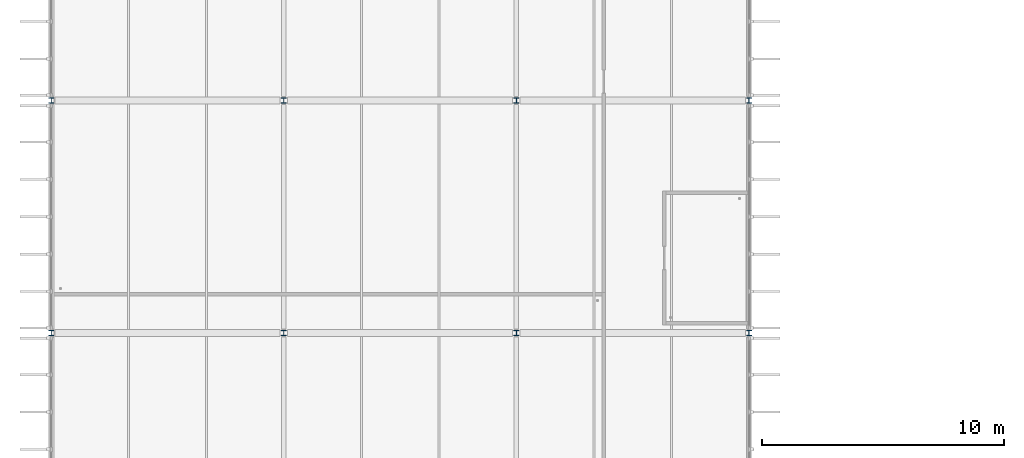
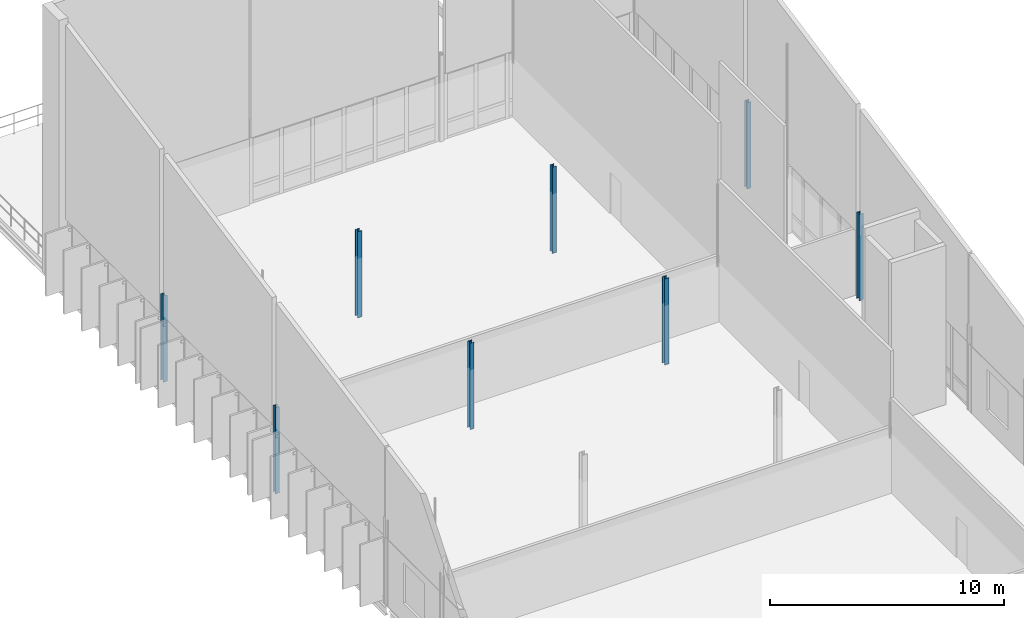
# One storey, part 10 of 93: 8 columns.
"""IFC4 building model written with IfcOpenShell, lengths in metres."""

from ifc_helpers import new_model, si_unit, direction, frame, origin, origin_2d, place, context, subcontext, project, spatial, i_section, extrude, material, material_profile, profile_set, type_object, element, save


model = new_model("IFC4")

# Units and contexts
model_context = context("Model", 3, precision=1e-05, world=origin(), true_north=direction((0.0, 1.0)))
body_context = subcontext(model_context, "Body", "Model", "MODEL_VIEW")
ifc_project = project(units=[si_unit("LENGTHUNIT", "METRE"), si_unit("AREAUNIT", "SQUARE_METRE"), si_unit("VOLUMEUNIT", "CUBIC_METRE"), si_unit("PLANEANGLEUNIT", "RADIAN"), si_unit("MASSUNIT", "GRAM", prefix="KILO")], contexts=[model_context])

# Site, building, storey
site_placement = place(None, origin())
site = spatial("IfcSite", under=ifc_project, at=site_placement, CompositionType="ELEMENT")
building_placement = place(site_placement, origin())
building = spatial("IfcBuilding", under=site, at=building_placement, Name="Dunescarp Central Library", CompositionType="ELEMENT")
storey_placement = place(building_placement, frame((0.0, 0.0, 14.10009765625)))
storey = spatial("IfcBuildingStorey", under=building, at=storey_placement, Name="L03", CompositionType="ELEMENT", Elevation=14.10009765625)

# Columns
ifc_material = material(Name="Steel S355JR", Category="steel")
ifc_material_profile = material_profile(ifc_material, i_section(OverallWidth=0.206298828125, OverallDepth=0.2158203125, WebThickness=0.010009765625, FlangeThickness=0.017333984375, at=origin_2d()), Name="UC 203x203x71")
ifc_profile_set = profile_set([ifc_material_profile], Name="Steel S355JR")
column_type = type_object("IfcColumnType", Name="STR-COL-UC203X71", PredefinedType="COLUMN", material=ifc_profile_set)
for number, where, z_axis, x_axis, name in (
    (1, (0.0, 70.39990234375, 0.0), (0.0, 0.0, 1.0), (1.0, 0.0, 0.0), "L03 column V4M-0-704"),
    (2, (0.0, 80.0, 0.0), (0.0, 0.0, 1.0), (1.0, 0.0, 0.0), "L03 column V4M-0-800"),
    (3, (9.60009765625, 70.39990234375, 0.0), (0.0, 0.0, 1.0), (1.0, 0.0, 0.0), "L03 column V4M-96-704"),
    (4, (9.60009765625, 80.0, 0.0), (0.0, 0.0, 1.0), (1.0, 0.0, 0.0), "L03 column V4M-96-800"),
    (5, (19.199951171875, 70.39990234375, 0.0), (0.0, 0.0, 1.0), (1.0, 0.0, 0.0), "L03 column V4M-192-704"),
    (6, (19.199951171875, 80.0, 0.0), (0.0, 0.0, 1.0), (1.0, 0.0, 0.0), "L03 column V4M-192-800"),
    (7, (28.800048828125, 70.39990234375, 0.0), (0.0, 0.0, 1.0), (1.0, 0.0, 0.0), "L03 column V4M-288-704"),
    (8, (28.800048828125, 80.0, 0.0), (0.0, 0.0, 1.0), (1.0, 0.0, 0.0), "L03 column V4M-288-800"),
):
    element("IfcColumn", number, at=place(storey_placement, frame(where, z_axis=z_axis, x_axis=x_axis)), inside=storey, type_object=column_type, Name=name, PredefinedType="COLUMN", context=body_context, shape_type="SweptSolid", body=[
        extrude(i_section(OverallWidth=0.206298828125, OverallDepth=0.2158203125, WebThickness=0.010009765625, FlangeThickness=0.017333984375, at=origin_2d()), origin(), (0.0, 0.0, 1.0), 4.5),
    ])

save(model, "model.ifc")
